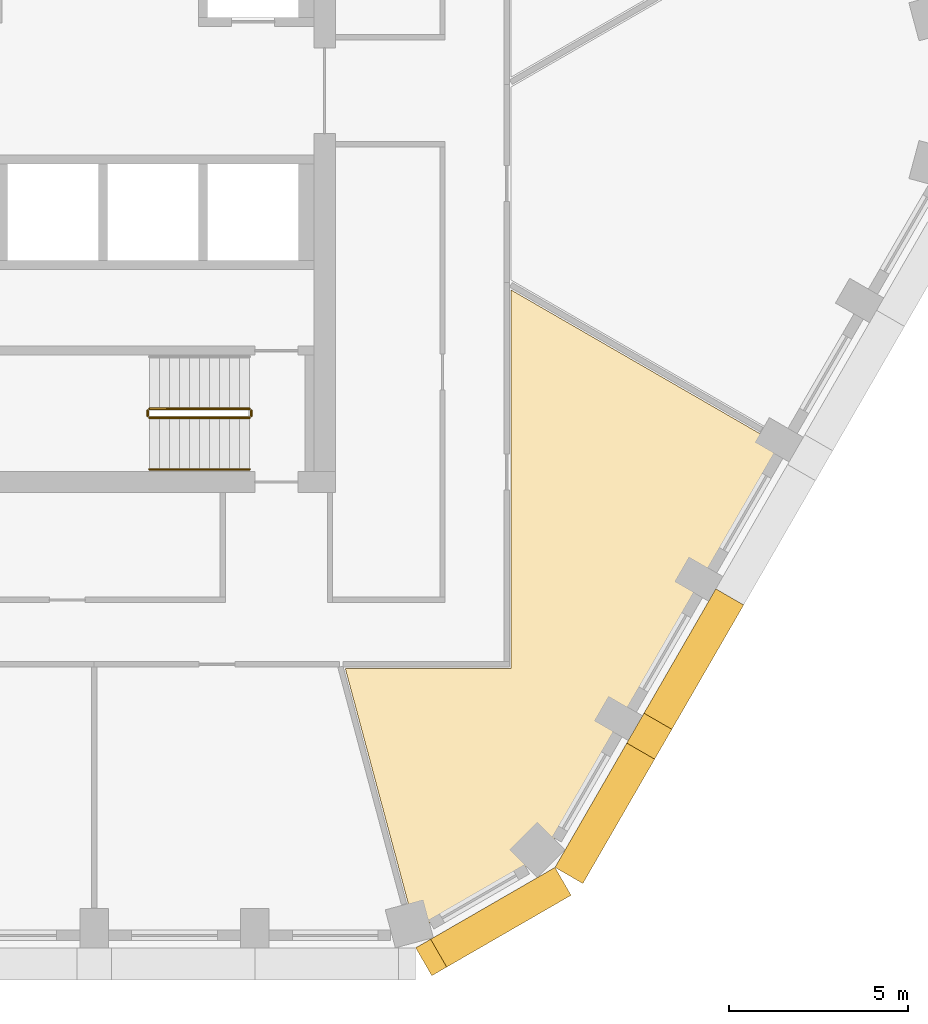
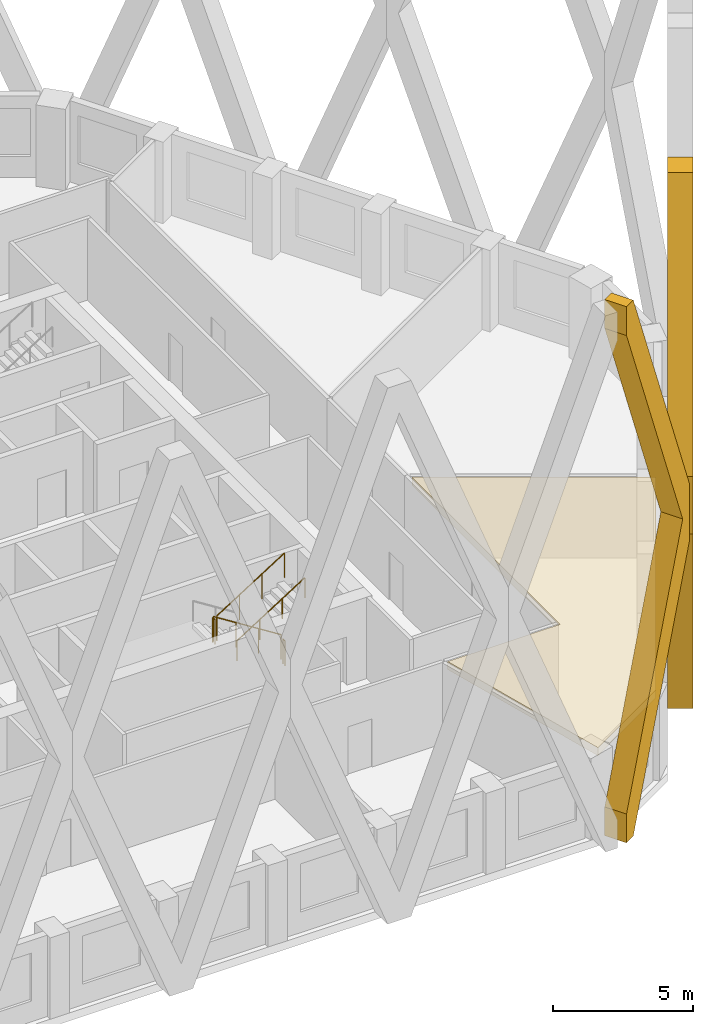
# One storey, part 12 of 16: 5 railings, 3 coverings.
"""IFC4 building model written with IfcOpenShell, lengths in metres."""

from ifc_helpers import new_model, si_unit, direction, frame, origin, origin_2d, place, context, subcontext, project, spatial, polyline, circle, outline, extrude, material, layer, layer_set, type_object, element, save


model = new_model("IFC4")

# Units and contexts
model_context = context("Model", 3, precision=1e-05, world=origin(), true_north=direction((0.0, 1.0)))
body_context = subcontext(model_context, "Body", "Model", "MODEL_VIEW")
ifc_project = project(units=[si_unit("LENGTHUNIT", "METRE"), si_unit("AREAUNIT", "SQUARE_METRE"), si_unit("VOLUMEUNIT", "CUBIC_METRE"), si_unit("PLANEANGLEUNIT", "RADIAN"), si_unit("MASSUNIT", "GRAM", prefix="KILO")], contexts=[model_context])

# Site, building, storey
site_placement = place(None, origin())
site = spatial("IfcSite", under=ifc_project, at=site_placement, CompositionType="ELEMENT")
building_placement = place(site_placement, origin())
building = spatial("IfcBuilding", under=site, at=building_placement, Name="Dhurran Vertical Campus", CompositionType="ELEMENT")
storey_placement = place(building_placement, frame((0.0, 0.0, 183.89990234375)))
storey = spatial("IfcBuildingStorey", under=building, at=storey_placement, Name="L45", CompositionType="ELEMENT", Elevation=183.89990234375)

# Coverings
ifc_material_1 = material(Name="Precast concrete C50/60", Category="concrete")
covering_type_1 = type_object("IfcCoveringType", Name="Folded precast fin lattice diamond", PredefinedType="USERDEFINED", material=ifc_material_1)
covering_1_placement = place(storey_placement, frame((15.75, -23.985595703125, 0.0), z_axis=(0.50001992892, -0.866013897511, 0.0), x_axis=(0.866013897511, 0.50001992892, 0.0)))
element("IfcCovering", 1, at=covering_1_placement, inside=storey, type_object=covering_type_1, Name="FN1 L45.005", ObjectType="FIN", PredefinedType="USERDEFINED", context=body_context, shape_type="SweptSolid", body=[
    extrude(outline(polyline([(4.5, 10.4462890625), (0.482177734375, 0.0), (0.0, 0.0), (0.0, 1.253662109375), (4.017822265625, 11.699951171875), (0.0, 22.146484375), (0.0, 23.39990234375), (0.482177734375, 23.39990234375), (4.5, 12.95361328125), (4.5, 10.4462890625)])), origin(), (0.0, 0.0, 1.0), 0.89990234375),
])
covering_2_placement = place(storey_placement, frame((19.647216796875, -21.735595703125, 0.0), z_axis=(0.866013897511, -0.50001992892, 0.0), x_axis=(0.50001992892, 0.866013897511, 0.0)))
element("IfcCovering", 2, at=covering_2_placement, inside=storey, type_object=covering_type_1, Name="FN1 L45.006", ObjectType="FIN", PredefinedType="USERDEFINED", context=body_context, shape_type="SweptSolid", body=[
    extrude(outline(polyline([(9.0, 12.95361328125), (9.0, 10.4462890625), (4.982177734375, 0.0), (4.017822265625, 0.0), (0.0, 10.4462890625), (0.0, 12.95361328125), (4.017822265625, 23.39990234375), (4.982177734375, 23.39990234375), (9.0, 12.95361328125)]), holes=[polyline([(8.517822265625, 11.699951171875), (4.5, 22.146484375), (0.482177734375, 11.699951171875), (4.5, 1.253662109375), (8.517822265625, 11.699951171875)])]), origin(), (0.0, 0.0, 1.0), 0.89990234375),
])

# Railings
ifc_material_2 = material(Name="Stainless steel balustrade", Category="steel")
railing_type_1 = type_object("IfcRailingType", Name="co-RL-GUARD-1100", PredefinedType="GUARDRAIL", material=ifc_material_2)
railing_1_placement = place(storey_placement, frame((11.10009765625, -8.89990234375, 0.177490234375)))
element("IfcRailing", 3, at=railing_1_placement, inside=storey, type_object=railing_type_1, Name="L45 ST4 stair guard 1", PredefinedType="GUARDRAIL", context=body_context, shape_type="SweptSolid", body=[
    extrude(circle(Radius=0.02392578125, at=origin_2d()), frame((0.0, 0.0, 1.076171875), z_axis=(-0.844908973607, 0.0, 0.534910110503), x_axis=(0.0, -1.0, 0.0)), (0.0, 0.0, 1.0), 3.31396484375),
    extrude(circle(Radius=0.02099609375, at=origin_2d()), origin(), (0.0, 0.0, 1.0), 1.052001953125),
    extrude(circle(Radius=0.02099609375, at=origin_2d()), frame((-0.933349609375, 0.0, 0.5908203125)), (0.0, 0.0, 1.0), 1.052001953125),
    extrude(circle(Radius=0.02099609375, at=origin_2d()), frame((-1.86669921875, 0.0, 1.181884765625)), (0.0, 0.0, 1.0), 1.052001953125),
    extrude(circle(Radius=0.02099609375, at=origin_2d()), frame((-2.800048828125, 0.0, 1.772705078125)), (0.0, 0.0, 1.0), 1.052001953125),
])
railing_2_placement = place(storey_placement, frame((8.25, -8.949951171875, 1.9501953125)))
element("IfcRailing", 4, at=railing_2_placement, inside=storey, type_object=railing_type_1, Name="L45 ST4 stair guard 2", PredefinedType="GUARDRAIL", context=body_context, shape_type="SweptSolid", body=[
    extrude(circle(Radius=0.02392578125, at=origin_2d()), frame((0.0, 0.0, 1.076171875), z_axis=(0.0, -1.0, 0.0), x_axis=(1.0, 0.0, 0.0)), (0.0, 0.0, 1.0), 0.150146484375),
    extrude(circle(Radius=0.02099609375, at=origin_2d()), origin(), (0.0, 0.0, 1.0), 1.052001953125),
    extrude(circle(Radius=0.02099609375, at=origin_2d()), frame((0.0, -0.150146484375, 0.0)), (0.0, 0.0, 1.0), 1.052001953125),
])
railing_3_placement = place(storey_placement, frame((8.300048828125, -9.14990234375, 2.12744140625)))
element("IfcRailing", 5, at=railing_3_placement, inside=storey, type_object=railing_type_1, Name="L45 ST4 stair guard 3", PredefinedType="GUARDRAIL", context=body_context, shape_type="SweptSolid", body=[
    extrude(circle(Radius=0.02392578125, at=origin_2d()), frame((0.0, 0.0, 1.076171875), z_axis=(0.844908973607, 0.0, 0.534910110503), x_axis=(0.0, 1.0, 0.0)), (0.0, 0.0, 1.0), 3.31396484375),
    extrude(circle(Radius=0.02099609375, at=origin_2d()), origin(), (0.0, 0.0, 1.0), 1.052001953125),
    extrude(circle(Radius=0.02099609375, at=origin_2d()), frame((0.933349609375, 0.0, 0.5908203125)), (0.0, 0.0, 1.0), 1.052001953125),
    extrude(circle(Radius=0.02099609375, at=origin_2d()), frame((1.86669921875, 0.0, 1.181884765625)), (0.0, 0.0, 1.0), 1.052001953125),
    extrude(circle(Radius=0.02099609375, at=origin_2d()), frame((2.800048828125, 0.0, 1.772705078125)), (0.0, 0.0, 1.0), 1.052001953125),
])
railing_4_placement = place(storey_placement, frame((11.14990234375, -8.949951171875, 0.0)))
element("IfcRailing", 6, at=railing_4_placement, inside=storey, type_object=railing_type_1, Name="L45 ST4 stair guard 4", PredefinedType="GUARDRAIL", context=body_context, shape_type="SweptSolid", body=[
    extrude(circle(Radius=0.02392578125, at=origin_2d()), frame((0.0, 0.0, 1.076171875), z_axis=(0.0, -1.0, 0.0), x_axis=(1.0, 0.0, 0.0)), (0.0, 0.0, 1.0), 0.150146484375),
    extrude(circle(Radius=0.02099609375, at=origin_2d()), origin(), (0.0, 0.0, 1.0), 1.052001953125),
    extrude(circle(Radius=0.02099609375, at=origin_2d()), frame((0.0, -0.150146484375, 0.0)), (0.0, 0.0, 1.0), 1.052001953125),
])
ifc_material_3 = material(Name="Stainless steel handrail", Category="steel")
railing_type_2 = type_object("IfcRailingType", Name="co-RL-HANDRAIL-900", PredefinedType="HANDRAIL", material=ifc_material_3)
railing_5_placement = place(storey_placement, frame((8.300048828125, -10.60009765625, 2.12744140625)))
element("IfcRailing", 7, at=railing_5_placement, inside=storey, type_object=railing_type_2, Name="L45 ST4 stair handrail 2", PredefinedType="HANDRAIL", context=body_context, shape_type="SweptSolid", body=[
    extrude(circle(Radius=0.02392578125, at=origin_2d()), frame((0.0, 0.0, 0.8759765625), z_axis=(0.844908973607, 0.0, 0.534910110503), x_axis=(0.0, 1.0, 0.0)), (0.0, 0.0, 1.0), 3.31396484375),
    extrude(circle(Radius=0.02099609375, at=origin_2d()), origin(), (0.0, 0.0, 1.0), 0.851806640625),
    extrude(circle(Radius=0.02099609375, at=origin_2d()), frame((0.933349609375, 0.0, 0.5908203125)), (0.0, 0.0, 1.0), 0.851806640625),
    extrude(circle(Radius=0.02099609375, at=origin_2d()), frame((1.86669921875, 0.0, 1.181884765625)), (0.0, 0.0, 1.0), 0.851806640625),
    extrude(circle(Radius=0.02099609375, at=origin_2d()), frame((2.800048828125, 0.0, 1.772705078125)), (0.0, 0.0, 1.0), 0.851806640625),
])

# Covering
ifc_material_4 = material(Name="Mineral fibre ceiling tiles on suspended grid")
ifc_layer = layer(ifc_material_4, 0.35009765625)
ifc_layer_set = layer_set([ifc_layer], Name="Mineral fibre ceiling tiles on suspended grid")
covering_type_2 = type_object("IfcCoveringType", Name="fl-CE-350 suspended ceiling", PredefinedType="CEILING", material=ifc_layer_set)
covering_3_placement = place(storey_placement, frame((0.0, 0.0, 3.2001953125)))
element("IfcCovering", 8, at=covering_3_placement, inside=storey, type_object=covering_type_2, Name="Ceiling 45-29", PredefinedType="CEILING", context=body_context, shape_type="SweptSolid", body=[
    extrude(outline(polyline([(25.972900390625, -9.93798828125), (19.339111328125, -21.427978515625), (15.7451171875, -23.50390625), (13.780029296875, -16.169921875), (18.419921875, -16.169921875), (18.419921875, -5.576904296875), (25.972900390625, -9.93798828125)])), origin(), (0.0, 0.0, 1.0), 0.349853515625),
])

save(model, "model.ifc")
